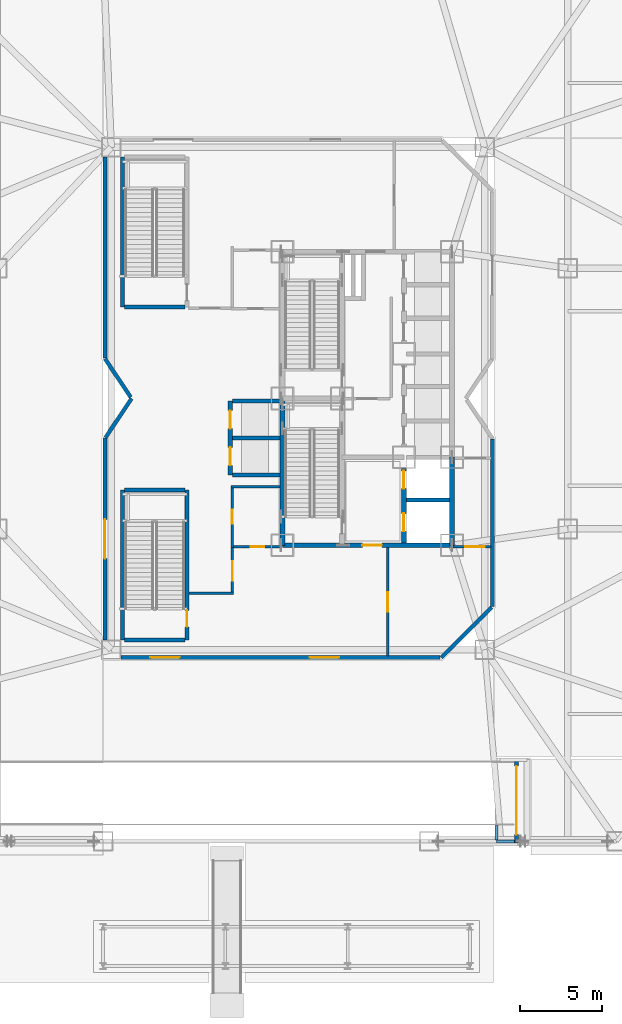
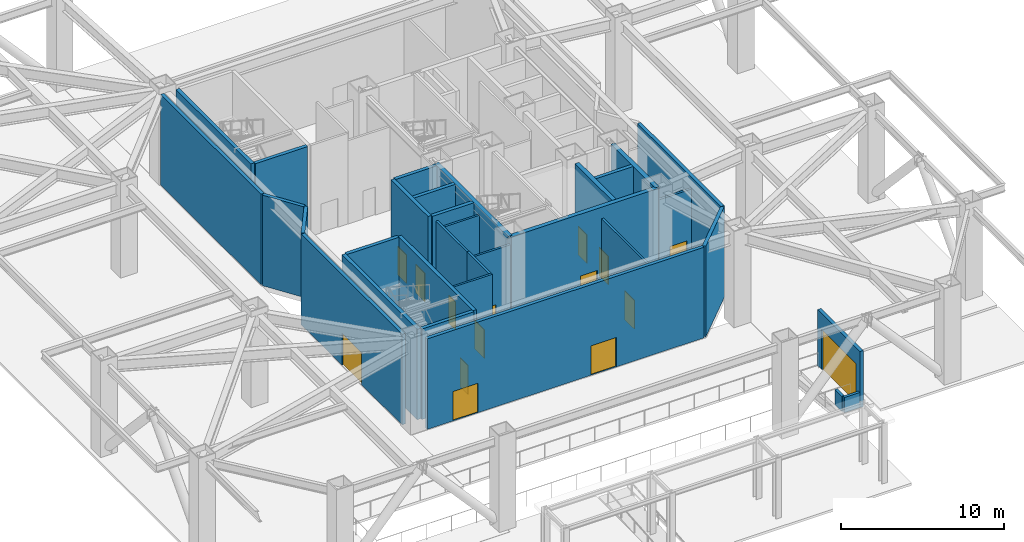
# One storey, part 9 of 14: 32 walls, 15 doors, 15 openings.
"""IFC4 building model written with IfcOpenShell, lengths in metres."""

from ifc_helpers import new_model, si_unit, direction, frame, frame_2d, origin, place, context, subcontext, project, spatial, rectangle, extrude, material, layer, layer_set, type_object, element, fill, save


model = new_model("IFC4")

# Units and contexts
model_context = context("Model", 3, precision=1e-05, world=origin(), true_north=direction((0.0, 1.0)))
body_context = subcontext(model_context, "Body", "Model", "MODEL_VIEW")
ifc_project = project(units=[si_unit("LENGTHUNIT", "METRE"), si_unit("AREAUNIT", "SQUARE_METRE"), si_unit("VOLUMEUNIT", "CUBIC_METRE"), si_unit("PLANEANGLEUNIT", "RADIAN"), si_unit("MASSUNIT", "GRAM", prefix="KILO")], contexts=[model_context])

# Site, building, storey
site_placement = place(None, origin())
site = spatial("IfcSite", under=ifc_project, at=site_placement, CompositionType="ELEMENT")
building_placement = place(site_placement, origin())
building = spatial("IfcBuilding", under=site, at=building_placement, Name="Khamvora Tower", CompositionType="ELEMENT")
storey_placement = place(building_placement, origin())
storey = spatial("IfcBuildingStorey", under=building, at=storey_placement, Name="L00", CompositionType="ELEMENT", Elevation=0.0)

# Wall
ifc_material_1 = material(Name="Concrete C50/60", Category="concrete")
ifc_layer_1 = layer(ifc_material_1, 0.300048828125)
ifc_layer_set_1 = layer_set([ifc_layer_1], Name="Concrete C50/60")
wall_type_1 = type_object("IfcWallType", Name="WAL-CORE-300", PredefinedType="SHEAR", material=ifc_layer_set_1)
wall_1_placement = place(storey_placement, frame((29.0, 19.0, 0.0), z_axis=(0.0, 0.0, 1.0), x_axis=(0.0, 1.0, 0.0)))
element("IfcWall", 1, at=wall_1_placement, inside=storey, type_object=wall_type_1, Name="L00 central core west south wall", PredefinedType="SHEAR", context=body_context, shape_type="SweptSolid", body=[
    extrude(rectangle(XDim=9.0, YDim=0.300048828125, at=frame_2d((4.5, 0.0))), origin(), (0.0, 0.0, 1.0), 6.780029296875),
])

# Wall, opening, door
wall_2_placement = place(storey_placement, frame((39.39990234375, 19.0, 0.0), z_axis=(0.0, 0.0, 1.0), x_axis=(-1.0, 0.0, 0.0)))
wall_2 = element("IfcWall", 2, at=wall_2_placement, inside=storey, type_object=wall_type_1, Name="L00 central core south wall", PredefinedType="SHEAR", context=body_context, shape_type="SweptSolid", body=[
    extrude(rectangle(XDim=10.39990234375, YDim=0.300048828125, at=frame_2d((5.199951171875, 0.0))), origin(), (0.0, 0.0, 1.0), 6.780029296875),
])
opening_1_placement = place(wall_2_placement, frame((4.300048828125, 0.0, 0.0)))
opening_1 = element("IfcOpeningElement", 3, at=opening_1_placement, cuts=wall_2, Name="Opening D-CR1", PredefinedType="OPENING", context=body_context, shape_type="SweptSolid", body=[
    extrude(rectangle(XDim=1.199951171875, YDim=2.14990234375, at=frame_2d((0.60009765625, 1.074951171875))), frame((0.0, 0.159912109375, 0.0), z_axis=(0.0, -1.0, 0.0), x_axis=(1.0, 0.0, 0.0)), (0.0, 0.0, 1.0), 0.320068359375),
])
ifc_material_2 = material(Name="Powder-Coated Steel and Hardwood Leaf", Category="steel")
door_type_1 = type_object("IfcDoorType", Name="DOR-CORR-1200", OperationType="NOTDEFINED", PredefinedType="DOOR", material=ifc_material_2)
door_1_placement = place(opening_1_placement, origin())
door_1 = element("IfcDoor", 4, at=door_1_placement, inside=storey, type_object=door_type_1, Name="L00 south core lobby to corridor fire door", OperationType="SINGLE_SWING_RIGHT", OverallHeight=2.14990234375, OverallWidth=1.199951171875, PredefinedType="DOOR", context=body_context, shape_type="SweptSolid", body=[
    extrude(rectangle(XDim=1.199951171875, YDim=2.14990234375, at=frame_2d((0.60009765625, 1.074951171875))), frame((0.0, 0.02490234375, 0.0), z_axis=(0.0, -1.0, 0.0), x_axis=(1.0, 0.0, 0.0)), (0.0, 0.0, 1.0), 0.050048828125),
])
fill(opening_1, door_1)

# Wall
wall_3_placement = place(storey_placement, frame((39.39990234375, 19.0, 0.0), z_axis=(0.0, 0.0, 1.0), x_axis=(0.0, 1.0, 0.0)))
element("IfcWall", 5, at=wall_3_placement, inside=storey, type_object=wall_type_1, Name="L00 central core east south wall", PredefinedType="SHEAR", context=body_context, shape_type="SweptSolid", body=[
    extrude(rectangle(XDim=5.39990234375, YDim=0.300048828125, at=frame_2d((2.699951171875, 0.0))), origin(), (0.0, 0.0, 1.0), 6.780029296875),
])

# Wall, openings, doors
wall_4_placement = place(storey_placement, frame((36.449951171875, 19.154052734375, 0.0), z_axis=(0.0, 0.0, 1.0), x_axis=(0.0, 1.0, 0.0)))
wall_4 = element("IfcWall", 6, at=wall_4_placement, inside=storey, type_object=wall_type_1, Name="L00 central core lift bank south wall", PredefinedType="SHEAR", context=body_context, shape_type="SweptSolid", body=[
    extrude(rectangle(XDim=4.5458984375, YDim=0.300048828125, at=frame_2d((2.27294921875, 0.0))), origin(), (0.0, 0.0, 1.0), 6.780029296875),
])
opening_2_placement = place(wall_4_placement, frame((0.696044921875, 0.0, 0.0)))
opening_2 = element("IfcOpeningElement", 7, at=opening_2_placement, cuts=wall_4, Name="Opening LD-FFL", PredefinedType="OPENING", context=body_context, shape_type="SweptSolid", body=[
    extrude(rectangle(XDim=1.10009765625, YDim=2.14990234375, at=frame_2d((0.550048828125, 1.074951171875))), frame((0.0, 0.159912109375, 0.0), z_axis=(0.0, -1.0, 0.0), x_axis=(1.0, 0.0, 0.0)), (0.0, 0.0, 1.0), 0.320068359375),
])
opening_3_placement = place(wall_4_placement, frame((3.31591796875, 0.0, 0.0)))
opening_3 = element("IfcOpeningElement", 8, at=opening_3_placement, cuts=wall_4, Name="Opening LD-FFL", PredefinedType="OPENING", context=body_context, shape_type="SweptSolid", body=[
    extrude(rectangle(XDim=1.10009765625, YDim=2.14990234375, at=frame_2d((0.550048828125, 1.074951171875))), frame((0.0, 0.159912109375, 0.0), z_axis=(0.0, -1.0, 0.0), x_axis=(1.0, 0.0, 0.0)), (0.0, 0.0, 1.0), 0.320068359375),
])
door_type_2 = type_object("IfcDoorType", Name="DOR-LIFT-1100", OperationType="SLIDING_TO_LEFT", PredefinedType="DOOR", material=ifc_material_2)
door_2_placement = place(opening_2_placement, origin())
door_2 = element("IfcDoor", 9, at=door_2_placement, inside=storey, type_object=door_type_2, Name="L00 lift landing sliding door FFL-01", OperationType="SLIDING_TO_LEFT", OverallHeight=2.14990234375, OverallWidth=1.10009765625, PredefinedType="DOOR", context=body_context, shape_type="SweptSolid", body=[
    extrude(rectangle(XDim=1.10009765625, YDim=2.14990234375, at=frame_2d((0.550048828125, 1.074951171875))), frame((0.0, 0.02490234375, 0.0), z_axis=(0.0, -1.0, 0.0), x_axis=(1.0, 0.0, 0.0)), (0.0, 0.0, 1.0), 0.050048828125),
])
fill(opening_2, door_2)
door_3_placement = place(opening_3_placement, origin())
door_3 = element("IfcDoor", 10, at=door_3_placement, inside=storey, type_object=door_type_2, Name="L00 lift landing sliding door FFL-02", OperationType="SLIDING_TO_LEFT", OverallHeight=2.14990234375, OverallWidth=1.10009765625, PredefinedType="DOOR", context=body_context, shape_type="SweptSolid", body=[
    extrude(rectangle(XDim=1.10009765625, YDim=2.14990234375, at=frame_2d((0.550048828125, 1.074951171875))), frame((0.0, 0.02490234375, 0.0), z_axis=(0.0, -1.0, 0.0), x_axis=(1.0, 0.0, 0.0)), (0.0, 0.0, 1.0), 0.050048828125),
])
fill(opening_3, door_3)

# Wall, opening, door
ifc_material_3 = material(Name="Fire-Rated Drywall and Steel Stud", Category="steel")
ifc_layer_2 = layer(ifc_material_3, 0.14990234375)
ifc_layer_set_2 = layer_set([ifc_layer_2], Name="Fire-Rated Drywall and Steel Stud")
wall_type_2 = type_object("IfcWallType", Name="WAL-CORR-150", PredefinedType="STANDARD", material=ifc_layer_set_2)
wall_5_placement = place(storey_placement, frame((35.465087890625, 18.85595703125, 0.0), z_axis=(0.0, 0.0, 1.0), x_axis=(0.0, -1.0, 0.0)))
wall_5 = element("IfcWall", 11, at=wall_5_placement, inside=storey, type_object=wall_type_2, Name="L00 interior partition wall 003", PredefinedType="STANDARD", context=body_context, shape_type="SweptSolid", body=[
    extrude(rectangle(XDim=6.64404296875, YDim=0.14990234375, at=frame_2d((3.322021484375, 0.0))), origin(), (0.0, 0.0, 1.0), 5.9150390625),
])
opening_4_placement = place(wall_5_placement, frame((2.721923828125, 0.0, 0.0)))
opening_4 = element("IfcOpeningElement", 12, at=opening_4_placement, cuts=wall_5, Name="Opening D-PL1", PredefinedType="OPENING", context=body_context, shape_type="SweptSolid", body=[
    extrude(rectangle(XDim=1.199951171875, YDim=2.14990234375, at=frame_2d((0.60009765625, 1.074951171875))), frame((0.0, 0.0849609375, 0.0), z_axis=(0.0, -1.0, 0.0), x_axis=(1.0, 0.0, 0.0)), (0.0, 0.0, 1.0), 0.169921875),
])
door_type_3 = type_object("IfcDoorType", Name="DOR-PLNT-1200", OperationType="NOTDEFINED", PredefinedType="DOOR", material=ifc_material_2)
door_4_placement = place(opening_4_placement, origin())
door_4 = element("IfcDoor", 13, at=door_4_placement, inside=storey, type_object=door_type_3, Name="L00 interior door EXPS-FCC", OperationType="SINGLE_SWING_LEFT", OverallHeight=2.14990234375, OverallWidth=1.199951171875, PredefinedType="DOOR", context=body_context, shape_type="SweptSolid", body=[
    extrude(rectangle(XDim=1.199951171875, YDim=2.14990234375, at=frame_2d((0.60009765625, 1.074951171875))), frame((0.0, 0.02490234375, 0.0), z_axis=(0.0, -1.0, 0.0), x_axis=(1.0, 0.0, 0.0)), (0.0, 0.0, 1.0), 0.050048828125),
])
fill(opening_4, door_4)

wall_6_placement = place(storey_placement, frame((25.93505859375, 16.0, 0.0), z_axis=(0.0, 0.0, 1.0), x_axis=(0.0, 1.0, 0.0)))
wall_6 = element("IfcWall", 14, at=wall_6_placement, inside=storey, type_object=wall_type_2, Name="L00 interior partition wall 004", PredefinedType="STANDARD", context=body_context, shape_type="SweptSolid", body=[
    extrude(rectangle(XDim=2.85009765625, YDim=0.14990234375, at=frame_2d((1.425048828125, 0.0))), origin(), (0.0, 0.0, 1.0), 6.780029296875),
])
opening_5_placement = place(wall_6_placement, frame((0.824951171875, 0.0, 0.0)))
opening_5 = element("IfcOpeningElement", 15, at=opening_5_placement, cuts=wall_6, Name="Opening D-CR1", PredefinedType="OPENING", context=body_context, shape_type="SweptSolid", body=[
    extrude(rectangle(XDim=1.199951171875, YDim=2.14990234375, at=frame_2d((0.60009765625, 1.074951171875))), frame((0.0, 0.0849609375, 0.0), z_axis=(0.0, -1.0, 0.0), x_axis=(1.0, 0.0, 0.0)), (0.0, 0.0, 1.0), 0.169921875),
])
door_5_placement = place(opening_5_placement, origin())
door_5 = element("IfcDoor", 16, at=door_5_placement, inside=storey, type_object=door_type_1, Name="L00 interior door EXPS-SLOB", OperationType="SINGLE_SWING_RIGHT", OverallHeight=2.14990234375, OverallWidth=1.199951171875, PredefinedType="DOOR", context=body_context, shape_type="SweptSolid", body=[
    extrude(rectangle(XDim=1.199951171875, YDim=2.14990234375, at=frame_2d((0.60009765625, 1.074951171875))), frame((0.0, 0.02490234375, 0.0), z_axis=(0.0, -1.0, 0.0), x_axis=(1.0, 0.0, 0.0)), (0.0, 0.0, 1.0), 0.050048828125),
])
fill(opening_5, door_5)

# Wall
wall_7_placement = place(storey_placement, frame((23.26708984375, 16.06494140625, 0.0), z_axis=(0.0, 0.0, 1.0), x_axis=(1.0, 0.0, 0.0)))
element("IfcWall", 17, at=wall_7_placement, inside=storey, type_object=wall_type_2, Name="L00 interior partition wall 005", PredefinedType="STANDARD", context=body_context, shape_type="SweptSolid", body=[
    extrude(rectangle(XDim=2.73291015625, YDim=0.14990234375, at=frame_2d((1.366455078125, 0.0))), origin(), (0.0, 0.0, 1.0), 6.780029296875),
])

# Wall, opening, door
wall_8_placement = place(storey_placement, frame((26.0, 18.9150390625, 0.0), z_axis=(0.0, 0.0, 1.0), x_axis=(1.0, 0.0, 0.0)))
wall_8 = element("IfcWall", 18, at=wall_8_placement, inside=storey, type_object=wall_type_2, Name="L00 interior partition wall 006", PredefinedType="STANDARD", context=body_context, shape_type="SweptSolid", body=[
    extrude(rectangle(XDim=2.943115234375, YDim=0.14990234375, at=frame_2d((1.4716796875, 0.0))), origin(), (0.0, 0.0, 1.0), 6.237060546875),
])
opening_6_placement = place(wall_8_placement, frame((1.0458984375, 0.0, 0.0)))
opening_6 = element("IfcOpeningElement", 19, at=opening_6_placement, cuts=wall_8, Name="Opening D-WC1", PredefinedType="OPENING", context=body_context, shape_type="SweptSolid", body=[
    extrude(rectangle(XDim=0.85009765625, YDim=2.10009765625, at=frame_2d((0.425048828125, 1.050048828125))), frame((0.0, 0.0849609375, 0.0), z_axis=(0.0, -1.0, 0.0), x_axis=(1.0, 0.0, 0.0)), (0.0, 0.0, 1.0), 0.169921875),
])
door_type_4 = type_object("IfcDoorType", Name="DOR-WET-850", OperationType="NOTDEFINED", PredefinedType="DOOR", material=ifc_material_2)
door_6_placement = place(opening_6_placement, origin())
door_6 = element("IfcDoor", 20, at=door_6_placement, inside=storey, type_object=door_type_4, Name="L00 interior door EXPS-GWC", OperationType="SINGLE_SWING_LEFT", OverallHeight=2.10009765625, OverallWidth=0.85009765625, PredefinedType="DOOR", context=body_context, shape_type="SweptSolid", body=[
    extrude(rectangle(XDim=0.85009765625, YDim=2.10009765625, at=frame_2d((0.425048828125, 1.050048828125))), frame((0.0, 0.02490234375, 0.0), z_axis=(0.0, -1.0, 0.0), x_axis=(1.0, 0.0, 0.0)), (0.0, 0.0, 1.0), 0.050048828125),
])
fill(opening_6, door_6)

wall_9_placement = place(storey_placement, frame((39.45703125, 18.9150390625, 0.0), z_axis=(0.0, 0.0, 1.0), x_axis=(1.0, 0.0, 0.0)))
wall_9 = element("IfcWall", 21, at=wall_9_placement, inside=storey, type_object=wall_type_2, Name="L00 interior partition wall 011", PredefinedType="STANDARD", context=body_context, shape_type="SweptSolid", body=[
    extrude(rectangle(XDim=2.3310546875, YDim=0.14990234375, at=frame_2d((1.16552734375, 0.0))), origin(), (0.0, 0.0, 1.0), 5.9150390625),
])
opening_7_placement = place(wall_9_placement, frame((0.759033203125, 0.0, 0.0)))
opening_7 = element("IfcOpeningElement", 22, at=opening_7_placement, cuts=wall_9, Name="Opening D-PL1", PredefinedType="OPENING", context=body_context, shape_type="SweptSolid", body=[
    extrude(rectangle(XDim=1.199951171875, YDim=2.14990234375, at=frame_2d((0.60009765625, 1.074951171875))), frame((0.0, 0.0849609375, 0.0), z_axis=(0.0, -1.0, 0.0), x_axis=(1.0, 0.0, 0.0)), (0.0, 0.0, 1.0), 0.169921875),
])
door_7_placement = place(opening_7_placement, origin())
door_7 = element("IfcDoor", 23, at=door_7_placement, inside=storey, type_object=door_type_3, Name="L00 interior door FCC-ECOR", OperationType="SINGLE_SWING_RIGHT", OverallHeight=2.14990234375, OverallWidth=1.199951171875, PredefinedType="DOOR", context=body_context, shape_type="SweptSolid", body=[
    extrude(rectangle(XDim=1.199951171875, YDim=2.14990234375, at=frame_2d((0.60009765625, 1.074951171875))), frame((0.0, 0.02490234375, 0.0), z_axis=(0.0, -1.0, 0.0), x_axis=(1.0, 0.0, 0.0)), (0.0, 0.0, 1.0), 0.050048828125),
])
fill(opening_7, door_7)

# Wall
wall_10_placement = place(storey_placement, frame((28.85595703125, 22.5849609375, 0.0), z_axis=(0.0, 0.0, 1.0), x_axis=(-1.0, 0.0, 0.0)))
element("IfcWall", 24, at=wall_10_placement, inside=storey, type_object=wall_type_2, Name="L00 interior partition wall 012", PredefinedType="STANDARD", context=body_context, shape_type="SweptSolid", body=[
    extrude(rectangle(XDim=2.995849609375, YDim=0.14990234375, at=frame_2d((1.498046875, 0.0))), origin(), (0.0, 0.0, 1.0), 6.237060546875),
])

# Wall, opening, door
wall_11_placement = place(storey_placement, frame((25.925048828125, 22.64794921875, 0.0), z_axis=(0.0, 0.0, 1.0), x_axis=(0.0, -1.0, 0.0)))
wall_11 = element("IfcWall", 25, at=wall_11_placement, inside=storey, type_object=wall_type_2, Name="L00 interior partition wall 013", PredefinedType="STANDARD", context=body_context, shape_type="SweptSolid", body=[
    extrude(rectangle(XDim=3.7978515625, YDim=0.14990234375, at=frame_2d((1.89892578125, 0.0))), origin(), (0.0, 0.0, 1.0), 6.780029296875),
])
opening_8_placement = place(wall_11_placement, frame((1.47412109375, 0.0, 0.0)))
opening_8 = element("IfcOpeningElement", 26, at=opening_8_placement, cuts=wall_11, Name="Opening D-WC1", PredefinedType="OPENING", context=body_context, shape_type="SweptSolid", body=[
    extrude(rectangle(XDim=0.85009765625, YDim=2.10009765625, at=frame_2d((0.425048828125, 1.050048828125))), frame((0.0, 0.0849609375, 0.0), z_axis=(0.0, -1.0, 0.0), x_axis=(1.0, 0.0, 0.0)), (0.0, 0.0, 1.0), 0.169921875),
])
door_8_placement = place(opening_8_placement, origin())
door_8 = element("IfcDoor", 27, at=door_8_placement, inside=storey, type_object=door_type_4, Name="L00 interior door SLOB-GWC", OperationType="SINGLE_SWING_RIGHT", OverallHeight=2.10009765625, OverallWidth=0.85009765625, PredefinedType="DOOR", context=body_context, shape_type="SweptSolid", body=[
    extrude(rectangle(XDim=0.85009765625, YDim=2.10009765625, at=frame_2d((0.425048828125, 1.050048828125))), frame((0.0, 0.02490234375, 0.0), z_axis=(0.0, -1.0, 0.0), x_axis=(1.0, 0.0, 0.0)), (0.0, 0.0, 1.0), 0.050048828125),
])
fill(opening_8, door_8)

ifc_material_4 = material(Name="Precast concrete C40/50", Category="concrete")
ifc_layer_3 = layer(ifc_material_4, 0.239990234375)
ifc_layer_set_3 = layer_set([ifc_layer_3], Name="Precast concrete C40/50")
wall_type_3 = type_object("IfcWallType", Name="WAL-EXT-240", PredefinedType="STANDARD", material=ifc_layer_set_3)
wall_12_placement = place(storey_placement, frame((18.1201171875, 13.197021484375, 0.0), z_axis=(0.0, 0.0, 1.0), x_axis=(0.0, 1.0, 0.0)))
wall_12 = element("IfcWall", 28, at=wall_12_placement, inside=storey, type_object=wall_type_3, Name="L00 plinth enclosure wall W1", PredefinedType="STANDARD", context=body_context, shape_type="SweptSolid", body=[
    extrude(rectangle(XDim=12.366943359375, YDim=0.239990234375, at=frame_2d((6.18359375, 0.0))), origin(), (0.0, 0.0, 1.0), 6.780029296875),
])
opening_9_placement = place(wall_12_placement, frame((4.98388671875, 0.0, 0.0)))
opening_9 = element("IfcOpeningElement", 29, at=opening_9_placement, cuts=wall_12, Name="Opening ED-01", PredefinedType="OPENING", context=body_context, shape_type="SweptSolid", body=[
    extrude(rectangle(XDim=2.39990234375, YDim=2.39990234375, at=frame_2d((1.199951171875, 1.199951171875))), frame((0.0, 0.1298828125, 0.0), z_axis=(0.0, -1.0, 0.0), x_axis=(1.0, 0.0, 0.0)), (0.0, 0.0, 1.0), 0.260009765625),
])
ifc_material_5 = material(Name="Anodised Aluminium and Laminated Safety Glass", Category="aluminium")
door_type_5 = type_object("IfcDoorType", Name="DOR-EXT-2400", OperationType="DOUBLE_DOOR_SINGLE_SWING", PredefinedType="DOOR", material=ifc_material_5)
door_9_placement = place(opening_9_placement, origin())
door_9 = element("IfcDoor", 30, at=door_9_placement, inside=storey, type_object=door_type_5, Name="L00 K-12 school entrance double door", OperationType="SINGLE_SWING_LEFT", OverallHeight=2.39990234375, OverallWidth=2.39990234375, PredefinedType="DOOR", context=body_context, shape_type="SweptSolid", body=[
    extrude(rectangle(XDim=2.39990234375, YDim=2.39990234375, at=frame_2d((1.199951171875, 1.199951171875))), frame((0.0, 0.02490234375, 0.0), z_axis=(0.0, -1.0, 0.0), x_axis=(1.0, 0.0, 0.0)), (0.0, 0.0, 1.0), 0.050048828125),
])
fill(opening_9, door_9)

# Walls
wall_13_placement = place(storey_placement, frame((18.152099609375, 25.612060546875, 0.0), z_axis=(0.0, 0.0, 1.0), x_axis=(0.55466093221, 0.83207646901, 0.0)))
element("IfcWall", 31, at=wall_13_placement, inside=storey, type_object=wall_type_3, Name="L00 plinth enclosure wall C11", PredefinedType="STANDARD", context=body_context, shape_type="SweptSolid", body=[
    extrude(rectangle(XDim=2.869873046875, YDim=0.239990234375, at=frame_2d((1.43505859375, 0.0))), origin(), (0.0, 0.0, 1.0), 6.780029296875),
])
wall_14_placement = place(storey_placement, frame((19.68798828125, 28.083984375, 0.0), z_axis=(0.0, 0.0, 1.0), x_axis=(-0.554660333073, 0.832076868394, 0.0)))
element("IfcWall", 32, at=wall_14_placement, inside=storey, type_object=wall_type_3, Name="L00 plinth enclosure wall C21", PredefinedType="STANDARD", context=body_context, shape_type="SweptSolid", body=[
    extrude(rectangle(XDim=2.82666015625, YDim=0.239990234375, at=frame_2d((1.413330078125, 0.0))), origin(), (0.0, 0.0, 1.0), 6.780029296875),
])
wall_15_placement = place(storey_placement, frame((18.1201171875, 30.493896484375, 0.0), z_axis=(0.0, 0.0, 1.0), x_axis=(0.0, 1.0, 0.0)))
element("IfcWall", 33, at=wall_15_placement, inside=storey, type_object=wall_type_3, Name="L00 plinth enclosure wall W1", PredefinedType="STANDARD", context=body_context, shape_type="SweptSolid", body=[
    extrude(rectangle(XDim=12.30908203125, YDim=0.239990234375, at=frame_2d((6.154541015625, 0.0))), origin(), (0.0, 0.0, 1.0), 6.780029296875),
])
wall_16_placement = place(storey_placement, frame((41.8798828125, 25.506103515625, 0.0), z_axis=(0.0, 0.0, 1.0), x_axis=(0.0, -1.0, 0.0)))
element("IfcWall", 34, at=wall_16_placement, inside=storey, type_object=wall_type_3, Name="L00 plinth enclosure wall E1", PredefinedType="STANDARD", context=body_context, shape_type="SweptSolid", body=[
    extrude(rectangle(XDim=10.256103515625, YDim=0.239990234375, at=frame_2d((5.1279296875, 0.0))), origin(), (0.0, 0.0, 1.0), 6.780029296875),
])
wall_17_placement = place(storey_placement, frame((41.826904296875, 15.197021484375, 0.0), z_axis=(0.0, 0.0, 1.0), x_axis=(-0.707106781187, -0.707106781187, 0.0)))
element("IfcWall", 35, at=wall_17_placement, inside=storey, type_object=wall_type_3, Name="L00 plinth enclosure wall C101", PredefinedType="STANDARD", context=body_context, shape_type="SweptSolid", body=[
    extrude(rectangle(XDim=4.351318359375, YDim=0.239990234375, at=frame_2d((2.17578125, 0.0))), origin(), (0.0, 0.0, 1.0), 6.780029296875),
])

# Wall, openings, doors
wall_18_placement = place(storey_placement, frame((38.672119140625, 12.1201171875, 0.0), z_axis=(0.0, 0.0, 1.0), x_axis=(-1.0, 0.0, 0.0)))
wall_18 = element("IfcWall", 36, at=wall_18_placement, inside=storey, type_object=wall_type_3, Name="L00 plinth enclosure wall S1", PredefinedType="STANDARD", context=body_context, shape_type="SweptSolid", body=[
    extrude(rectangle(XDim=19.5751953125, YDim=0.239990234375, at=frame_2d((9.78759765625, 0.0))), origin(), (0.0, 0.0, 1.0), 6.780029296875),
])
opening_10_placement = place(wall_18_placement, frame((6.199951171875, 0.0, 0.0)))
opening_10 = element("IfcOpeningElement", 37, at=opening_10_placement, cuts=wall_18, Name="Opening ED-02", PredefinedType="OPENING", context=body_context, shape_type="SweptSolid", body=[
    extrude(rectangle(XDim=1.800048828125, YDim=2.199951171875, at=frame_2d((0.89990234375, 1.10009765625))), frame((0.0, 0.1298828125, 0.0), z_axis=(0.0, -1.0, 0.0), x_axis=(1.0, 0.0, 0.0)), (0.0, 0.0, 1.0), 0.260009765625),
])
opening_11_placement = place(wall_18_placement, frame((15.97509765625, 0.0, 0.0)))
opening_11 = element("IfcOpeningElement", 38, at=opening_11_placement, cuts=wall_18, Name="Opening ED-02", PredefinedType="OPENING", context=body_context, shape_type="SweptSolid", body=[
    extrude(rectangle(XDim=1.800048828125, YDim=2.199951171875, at=frame_2d((0.89990234375, 1.10009765625))), frame((0.0, 0.1298828125, 0.0), z_axis=(0.0, -1.0, 0.0), x_axis=(1.0, 0.0, 0.0)), (0.0, 0.0, 1.0), 0.260009765625),
])
door_type_6 = type_object("IfcDoorType", Name="DOR-EXT-1800", OperationType="DOUBLE_DOOR_SINGLE_SWING", PredefinedType="DOOR", material=ifc_material_5)
door_10_placement = place(opening_10_placement, origin())
door_10 = element("IfcDoor", 39, at=door_10_placement, inside=storey, type_object=door_type_6, Name="L00 south protected exit discharge door 1", OperationType="SINGLE_SWING_LEFT", OverallHeight=2.199951171875, OverallWidth=1.800048828125, PredefinedType="DOOR", context=body_context, shape_type="SweptSolid", body=[
    extrude(rectangle(XDim=1.800048828125, YDim=2.199951171875, at=frame_2d((0.89990234375, 1.10009765625))), frame((0.0, 0.02490234375, 0.0), z_axis=(0.0, -1.0, 0.0), x_axis=(1.0, 0.0, 0.0)), (0.0, 0.0, 1.0), 0.050048828125),
])
fill(opening_10, door_10)
door_11_placement = place(opening_11_placement, origin())
door_11 = element("IfcDoor", 40, at=door_11_placement, inside=storey, type_object=door_type_6, Name="L00 fire command room direct exterior door", OperationType="SINGLE_SWING_LEFT", OverallHeight=2.199951171875, OverallWidth=1.800048828125, PredefinedType="DOOR", context=body_context, shape_type="SweptSolid", body=[
    extrude(rectangle(XDim=1.800048828125, YDim=2.199951171875, at=frame_2d((0.89990234375, 1.10009765625))), frame((0.0, 0.02490234375, 0.0), z_axis=(0.0, -1.0, 0.0), x_axis=(1.0, 0.0, 0.0)), (0.0, 0.0, 1.0), 0.050048828125),
])
fill(opening_11, door_11)

# Wall, opening, door
wall_19_placement = place(storey_placement, frame((43.35009765625, 0.75, 0.0), z_axis=(0.0, 0.0, 1.0), x_axis=(0.0, 1.0, 0.0)))
wall_19 = element("IfcWall", 41, at=wall_19_placement, inside=storey, type_object=wall_type_3, Name="L00 car park vehicle ramp portal wall", PredefinedType="STANDARD", context=body_context, shape_type="SweptSolid", body=[
    extrude(rectangle(XDim=5.199951171875, YDim=0.239990234375, at=frame_2d((2.60009765625, 0.0))), origin(), (0.0, 0.0, 1.0), 4.199951171875),
])
opening_12_placement = place(wall_19_placement, frame((0.5, 0.0, 0.0)))
opening_12 = element("IfcOpeningElement", 42, at=opening_12_placement, cuts=wall_19, Name="Opening VD-02", PredefinedType="OPENING", context=body_context, shape_type="SweptSolid", body=[
    extrude(rectangle(XDim=4.199951171875, YDim=3.0, at=frame_2d((2.10009765625, 1.5))), frame((0.0, 0.1298828125, 0.0), z_axis=(0.0, -1.0, 0.0), x_axis=(1.0, 0.0, 0.0)), (0.0, 0.0, 1.0), 0.260009765625),
])
ifc_material_6 = material(Name="Galvanised Steel S355JR", Category="steel")
door_type_7 = type_object("IfcDoorType", Name="DOR-VEH-4200", OperationType="ROLLINGUP", PredefinedType="GATE", material=ifc_material_6)
door_12_placement = place(opening_12_placement, origin())
door_12 = element("IfcDoor", 43, at=door_12_placement, inside=storey, type_object=door_type_7, Name="L00 car park vehicle ramp roller shutter", OperationType="ROLLINGUP", OverallHeight=3.0, OverallWidth=4.199951171875, PredefinedType="GATE", context=body_context, shape_type="SweptSolid", body=[
    extrude(rectangle(XDim=4.199951171875, YDim=3.0, at=frame_2d((2.10009765625, 1.5))), frame((0.0, 0.02490234375, 0.0), z_axis=(0.0, -1.0, 0.0), x_axis=(1.0, 0.0, 0.0)), (0.0, 0.0, 1.0), 0.050048828125),
])
fill(opening_12, door_12)

# Walls
ifc_layer_4 = layer(ifc_material_4, 0.179931640625)
ifc_layer_set_4 = layer_set([ifc_layer_4], Name="Precast concrete C40/50")
wall_type_4 = type_object("IfcWallType", Name="WAL-PAR-180", PredefinedType="PARAPET", material=ifc_layer_set_4)
wall_20_placement = place(storey_placement, frame((43.219970703125, 0.840087890625, 0.0), z_axis=(0.0, 0.0, 1.0), x_axis=(-1.0, 0.0, 0.0)))
element("IfcWall", 44, at=wall_20_placement, inside=storey, type_object=wall_type_4, Name="L00 vehicle ramp south apron parapet wall", PredefinedType="PARAPET", context=body_context, shape_type="SweptSolid", body=[
    extrude(rectangle(XDim=1.080078125, YDim=0.179931640625, at=frame_2d((0.5400390625, 0.0))), origin(), (0.0, 0.0, 1.0), 1.14990234375),
])
wall_21_placement = place(storey_placement, frame((42.139892578125, 0.93994140625, 0.0), z_axis=(0.0, 0.0, 1.0), x_axis=(0.0, 1.0, 0.0)))
element("IfcWall", 45, at=wall_21_placement, inside=storey, type_object=wall_type_4, Name="L00 vehicle ramp west apron parapet wall", PredefinedType="PARAPET", context=body_context, shape_type="SweptSolid", body=[
    extrude(rectangle(XDim=0.860107421875, YDim=0.179931640625, at=frame_2d((0.43017578125, 0.0))), origin(), (0.0, 0.0, 1.0), 1.14990234375),
])
ifc_material_7 = material(Name="Concrete C40/50", Category="concrete")
ifc_layer_5 = layer(ifc_material_7, 0.25)
ifc_layer_set_5 = layer_set([ifc_layer_5], Name="Concrete C40/50")
wall_type_5 = type_object("IfcWallType", Name="WAL-PODS-250", PredefinedType="SHEAR", material=ifc_layer_set_5)
wall_22_placement = place(storey_placement, frame((36.60400390625, 21.77490234375, 0.0), z_axis=(0.0, 0.0, 1.0), x_axis=(1.0, 0.0, 0.0)))
element("IfcWall", 46, at=wall_22_placement, inside=storey, type_object=wall_type_5, Name="L00 lift shaft divider wall FFL-01", PredefinedType="SHEAR", context=body_context, shape_type="SweptSolid", body=[
    extrude(rectangle(XDim=2.64208984375, YDim=0.25, at=frame_2d((1.321044921875, 0.0))), origin(), (0.0, 0.0, 1.0), 6.780029296875),
])
wall_23_placement = place(storey_placement, frame((19.199951171875, 13.199951171875, 0.0), z_axis=(0.0, 0.0, 1.0), x_axis=(0.0, 1.0, 0.0)))
element("IfcWall", 47, at=wall_23_placement, inside=storey, type_object=wall_type_5, Name="L00 podium stair core wall st3 w", PredefinedType="SHEAR", context=body_context, shape_type="SweptSolid", body=[
    extrude(rectangle(XDim=9.199951171875, YDim=0.25, at=frame_2d((4.60009765625, 0.0))), origin(), (0.0, 0.0, 1.0), 6.780029296875),
])

# Wall, opening, door
wall_24_placement = place(storey_placement, frame((23.14990234375, 22.39990234375, 0.0), z_axis=(0.0, 0.0, 1.0), x_axis=(0.0, -1.0, 0.0)))
wall_24 = element("IfcWall", 48, at=wall_24_placement, inside=storey, type_object=wall_type_5, Name="L00 podium stair core wall st3 e", PredefinedType="SHEAR", context=body_context, shape_type="SweptSolid", body=[
    extrude(rectangle(XDim=9.199951171875, YDim=0.25, at=frame_2d((4.60009765625, 0.0))), origin(), (0.0, 0.0, 1.0), 6.780029296875),
])
opening_13_placement = place(wall_24_placement, frame((7.39990234375, 0.0, 0.0)))
opening_13 = element("IfcOpeningElement", 49, at=opening_13_placement, cuts=wall_24, Name="Opening D-ST1", PredefinedType="OPENING", context=body_context, shape_type="SweptSolid", body=[
    extrude(rectangle(XDim=1.0, YDim=2.14990234375, at=frame_2d((0.5, 1.074951171875))), frame((0.0, 0.135009765625, 0.0), z_axis=(0.0, -1.0, 0.0), x_axis=(1.0, 0.0, 0.0)), (0.0, 0.0, 1.0), 0.27001953125),
])
door_type_8 = type_object("IfcDoorType", Name="DOR-STAIR-1000", OperationType="NOTDEFINED", PredefinedType="DOOR", material=ifc_material_2)
door_13_placement = place(opening_13_placement, origin())
door_13 = element("IfcDoor", 50, at=door_13_placement, inside=storey, type_object=door_type_8, Name="L00 podium stair ST3 enclosure door", OperationType="SINGLE_SWING_LEFT", OverallHeight=2.14990234375, OverallWidth=1.0, PredefinedType="DOOR", context=body_context, shape_type="SweptSolid", body=[
    extrude(rectangle(XDim=1.0, YDim=2.14990234375, at=frame_2d((0.5, 1.074951171875))), frame((0.0, 0.02490234375, 0.0), z_axis=(0.0, -1.0, 0.0), x_axis=(1.0, 0.0, 0.0)), (0.0, 0.0, 1.0), 0.050048828125),
])
fill(opening_13, door_13)

# Walls
for number, where, z_axis, x_axis, name in (
    (51, (19.3291015625, 13.199951171875, 0.0), (0.0, 0.0, 1.0), (1.0, 0.0, 0.0), "L00 podium stair core wall st3 s"),
    (52, (19.3291015625, 22.39990234375, 0.0), (0.0, 0.0, 1.0), (1.0, 0.0, 0.0), "L00 podium stair core wall st3 n"),
):
    element("IfcWall", number, at=place(storey_placement, frame(where, z_axis=z_axis, x_axis=x_axis)), inside=storey, type_object=wall_type_5, Name=name, PredefinedType="SHEAR", context=body_context, shape_type="SweptSolid", body=[
        extrude(rectangle(XDim=3.69189453125, YDim=0.25, at=frame_2d((1.845947265625, 0.0))), origin(), (0.0, 0.0, 1.0), 6.780029296875),
    ])
wall_25_placement = place(storey_placement, frame((19.199951171875, 33.60009765625, 0.0), z_axis=(0.0, 0.0, 1.0), x_axis=(0.0, 1.0, 0.0)))
element("IfcWall", 53, at=wall_25_placement, inside=storey, type_object=wall_type_5, Name="L00 podium stair core wall st4 w", PredefinedType="SHEAR", context=body_context, shape_type="SweptSolid", body=[
    extrude(rectangle(XDim=9.199951171875, YDim=0.25, at=frame_2d((4.60009765625, 0.0))), origin(), (0.0, 0.0, 1.0), 6.780029296875),
])
wall_26_placement = place(storey_placement, frame((19.3291015625, 33.60009765625, 0.0), z_axis=(0.0, 0.0, 1.0), x_axis=(1.0, 0.0, 0.0)))
element("IfcWall", 54, at=wall_26_placement, inside=storey, type_object=wall_type_5, Name="L00 podium stair core wall st4 s", PredefinedType="SHEAR", context=body_context, shape_type="SweptSolid", body=[
    extrude(rectangle(XDim=3.69189453125, YDim=0.25, at=frame_2d((1.845947265625, 0.0))), origin(), (0.0, 0.0, 1.0), 6.780029296875),
])

# Wall, openings, doors
wall_27_placement = place(storey_placement, frame((25.800048828125, 23.300048828125, 0.0), z_axis=(0.0, 0.0, 1.0), x_axis=(0.0, 1.0, 0.0)))
wall_27 = element("IfcWall", 55, at=wall_27_placement, inside=storey, type_object=wall_type_5, Name="L00 podium lift shaft wall slw w", PredefinedType="SHEAR", context=body_context, shape_type="SweptSolid", body=[
    extrude(rectangle(XDim=4.550048828125, YDim=0.25, at=frame_2d((2.27490234375, 0.0))), origin(), (0.0, 0.0, 1.0), 6.780029296875),
])
opening_14_placement = place(wall_27_placement, frame((0.60009765625, 0.0, 0.0)))
opening_14 = element("IfcOpeningElement", 56, at=opening_14_placement, cuts=wall_27, Name="Opening LD-SL", PredefinedType="OPENING", context=body_context, shape_type="SweptSolid", body=[
    extrude(rectangle(XDim=1.10009765625, YDim=2.14990234375, at=frame_2d((0.550048828125, 1.074951171875))), frame((0.0, 0.135009765625, 0.0), z_axis=(0.0, -1.0, 0.0), x_axis=(1.0, 0.0, 0.0)), (0.0, 0.0, 1.0), 0.27001953125),
])
opening_15_placement = place(wall_27_placement, frame((2.85009765625, 0.0, 0.0)))
opening_15 = element("IfcOpeningElement", 57, at=opening_15_placement, cuts=wall_27, Name="Opening LD-SL", PredefinedType="OPENING", context=body_context, shape_type="SweptSolid", body=[
    extrude(rectangle(XDim=1.10009765625, YDim=2.14990234375, at=frame_2d((0.550048828125, 1.074951171875))), frame((0.0, 0.135009765625, 0.0), z_axis=(0.0, -1.0, 0.0), x_axis=(1.0, 0.0, 0.0)), (0.0, 0.0, 1.0), 0.27001953125),
])
door_type_9 = type_object("IfcDoorType", Name="DOR-LIFT-1100S", OperationType="SLIDING_TO_LEFT", PredefinedType="DOOR", material=ifc_material_2)
door_14_placement = place(opening_14_placement, origin())
door_14 = element("IfcDoor", 58, at=door_14_placement, inside=storey, type_object=door_type_9, Name="L00 school lift landing sliding door SL-01", OperationType="SLIDING_TO_LEFT", OverallHeight=2.14990234375, OverallWidth=1.10009765625, PredefinedType="DOOR", context=body_context, shape_type="SweptSolid", body=[
    extrude(rectangle(XDim=1.10009765625, YDim=2.14990234375, at=frame_2d((0.550048828125, 1.074951171875))), frame((0.0, 0.02490234375, 0.0), z_axis=(0.0, -1.0, 0.0), x_axis=(1.0, 0.0, 0.0)), (0.0, 0.0, 1.0), 0.050048828125),
])
fill(opening_14, door_14)
door_15_placement = place(opening_15_placement, origin())
door_15 = element("IfcDoor", 59, at=door_15_placement, inside=storey, type_object=door_type_9, Name="L00 school lift landing sliding door SL-02", OperationType="SLIDING_TO_LEFT", OverallHeight=2.14990234375, OverallWidth=1.10009765625, PredefinedType="DOOR", context=body_context, shape_type="SweptSolid", body=[
    extrude(rectangle(XDim=1.10009765625, YDim=2.14990234375, at=frame_2d((0.550048828125, 1.074951171875))), frame((0.0, 0.02490234375, 0.0), z_axis=(0.0, -1.0, 0.0), x_axis=(1.0, 0.0, 0.0)), (0.0, 0.0, 1.0), 0.050048828125),
])
fill(opening_15, door_15)

# Walls
for number, where, z_axis, x_axis, name in (
    (60, (25.928955078125, 23.300048828125, 0.0), (0.0, 0.0, 1.0), (1.0, 0.0, 0.0), "L00 podium lift shaft wall slw s"),
    (61, (25.928955078125, 27.85009765625, 0.0), (0.0, 0.0, 1.0), (1.0, 0.0, 0.0), "L00 podium lift shaft wall slw n"),
    (62, (25.928955078125, 25.570068359375, 0.0), (0.0, 0.0, 1.0), (1.0, 0.0, 0.0), "L00 podium lift shaft wall slw m"),
):
    element("IfcWall", number, at=place(storey_placement, frame(where, z_axis=z_axis, x_axis=x_axis)), inside=storey, type_object=wall_type_5, Name=name, PredefinedType="SHEAR", context=body_context, shape_type="SweptSolid", body=[
        extrude(rectangle(XDim=2.9169921875, YDim=0.25, at=frame_2d((1.45849609375, 0.0))), origin(), (0.0, 0.0, 1.0), 6.780029296875),
    ])

save(model, "model.ifc")
